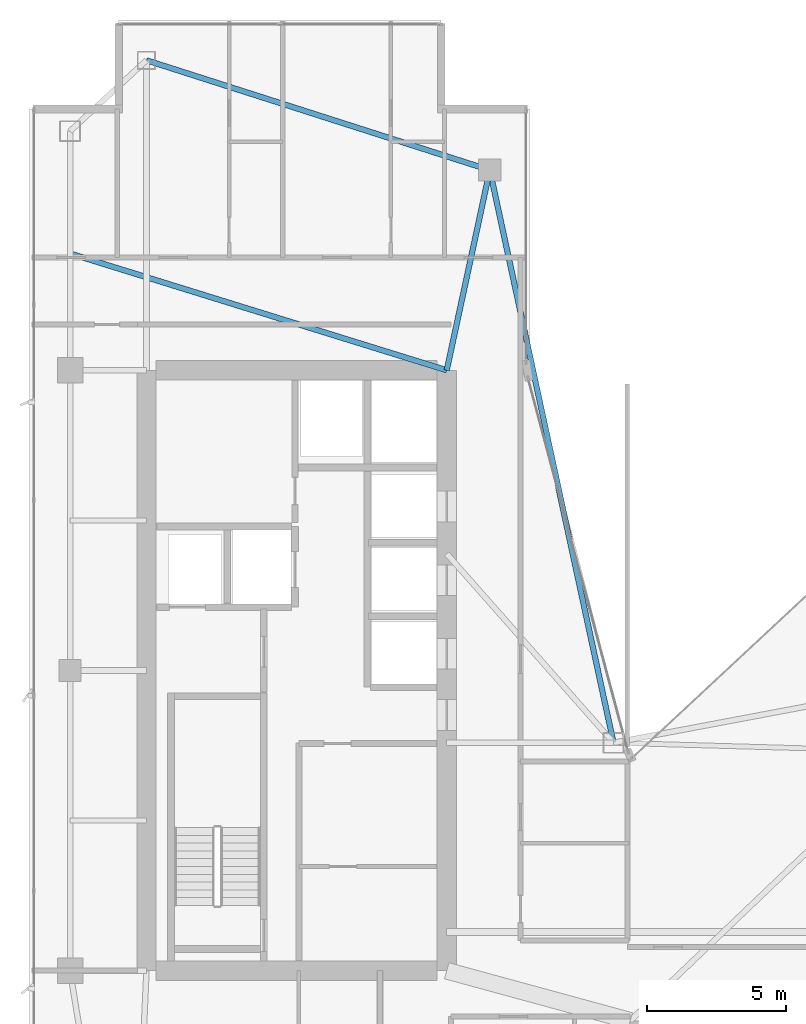
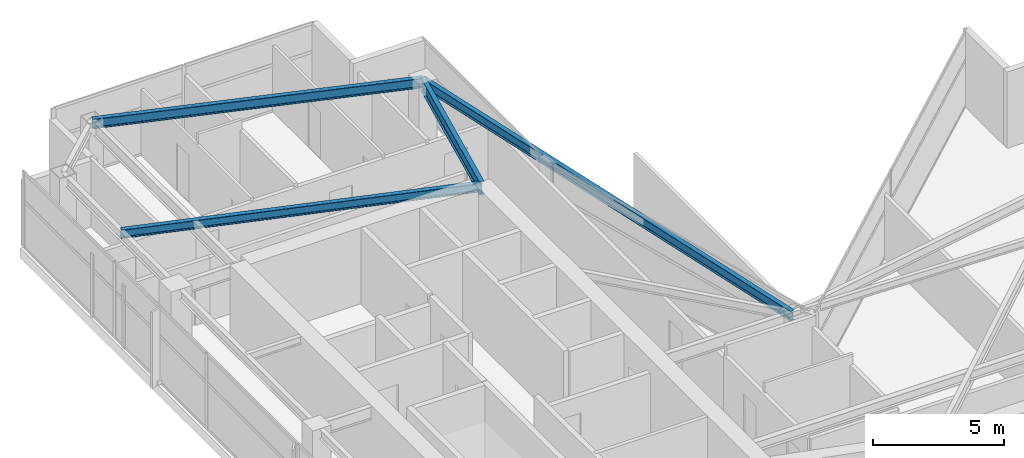
# One storey, part 17 of 28: 4 beams.
"""IFC4 building model written with IfcOpenShell, lengths in metres."""

import ifcopenshell
import ifcopenshell.guid

model = None  # the IFC model being written
_history = None  # IfcOwnerHistory: only IFC2X3 demands one
_inside = {}  # id of a spatial element -> (the spatial element, [elements in it])
_under = {}  # id of a project, library or spatial element -> (it, [spatial elements below it])
_declared = {}  # id of a project -> (the project, [libraries it declares])
_typed = {}  # id of a type object -> (the type object, [elements of that type])
_made_of = {}  # id of a material, layer set ... -> (it, [elements and type objects made of it])


def new_model(schema):
    """Start an empty IFC model of exactly this schema.

    Asked for "IFC4X3", IfcOpenShell would pick the latest addendum, in which some entities
    have other attributes; the version numbers below select the first issue.
    IFC2X3 requires an IfcOwnerHistory on every rooted entity: one is made here for all.
    """
    global model, _history
    if schema == "IFC4X3":
        model = ifcopenshell.file(schema_version=(4, 3, 0, 0))
    else:
        model = ifcopenshell.file(schema=schema)
    _inside.clear()
    _under.clear()
    _declared.clear()
    _typed.clear()
    _made_of.clear()
    _history = None
    if model.schema == "IFC2X3":
        org = make("IfcOrganization", Name="unknown")
        user = make(
            "IfcPersonAndOrganization",
            ThePerson=make("IfcPerson", FamilyName="unknown"),
            TheOrganization=org,
        )
        app = make(
            "IfcApplication",
            ApplicationDeveloper=org,
            Version="unknown",
            ApplicationFullName="unknown",
            ApplicationIdentifier="unknown",
        )
        _history = make(
            "IfcOwnerHistory",
            OwningUser=user,
            OwningApplication=app,
            ChangeAction="ADDED",
            CreationDate=0,
        )
    return model


def make(cls, **values):
    """One entity of the class cls with the attributes given. An attribute that is None is left unset."""
    return model.create_entity(
        cls, **{name: value for name, value in values.items() if value is not None}
    )


def rooted(cls, **values):
    """An entity with a GlobalId (a new one), such as an element, a storey or a relation."""
    return make(cls, GlobalId=ifcopenshell.guid.new(), OwnerHistory=_history, **values)


def si_unit(unit_type, name, prefix=None):
    """IfcSIUnit, for example si_unit("LENGTHUNIT", "METRE", prefix="MILLI")."""
    return make("IfcSIUnit", UnitType=unit_type, Prefix=prefix, Name=name)


def assignment(units):
    """IfcUnitAssignment: the units of a project."""
    return None if units is None else make("IfcUnitAssignment", Units=units)


def point(xyz):
    """IfcCartesianPoint."""
    return None if xyz is None else make("IfcCartesianPoint", Coordinates=xyz)


def direction(xyz):
    """IfcDirection."""
    return None if xyz is None else make("IfcDirection", DirectionRatios=xyz)


def frame(location, z_axis=None, x_axis=None):
    """IfcAxis2Placement3D, a coordinate frame: its origin and axes. An axis left out is left unset."""
    return make(
        "IfcAxis2Placement3D",
        Location=point(location),
        Axis=direction(z_axis),
        RefDirection=direction(x_axis),
    )


def frame_2d(location, x_axis=None):
    """IfcAxis2Placement2D, a coordinate frame in the plane: its origin and x axis."""
    return make(
        "IfcAxis2Placement2D", Location=point(location), RefDirection=direction(x_axis)
    )


def origin():
    """The frame at (0, 0, 0) with its axes left unset."""
    return frame((0.0, 0.0, 0.0))


def origin_2d():
    """The frame at (0, 0) in the plane with its x axis left unset."""
    return frame_2d((0.0, 0.0))


def place(relative_to, where):
    """IfcLocalPlacement: puts the frame where relative to a parent placement (None: the world)."""
    return make(
        "IfcLocalPlacement", PlacementRelTo=relative_to, RelativePlacement=where
    )


def context(
    kind, dimensions, precision=None, world=None, true_north=None, identifier=None
):
    """IfcGeometricRepresentationContext, for example the 3D "Model" context."""
    return make(
        "IfcGeometricRepresentationContext",
        ContextIdentifier=identifier,
        ContextType=kind,
        CoordinateSpaceDimension=dimensions,
        Precision=precision,
        WorldCoordinateSystem=world,
        TrueNorth=true_north,
    )


def subcontext(parent, identifier, kind, view, scale=None):
    """IfcGeometricRepresentationSubContext, for example "Body" below "Model"."""
    return make(
        "IfcGeometricRepresentationSubContext",
        ContextIdentifier=identifier,
        ContextType=kind,
        ParentContext=parent,
        TargetScale=scale,
        TargetView=view,
    )


def project(units=None, contexts=None):
    """IfcProject with its units and contexts."""
    return rooted(
        "IfcProject",
        Name="project",
        RepresentationContexts=contexts,
        UnitsInContext=assignment(units),
    )


def spatial(cls, under=None, at=None, **own):
    """A site, building, storey or space (cls), placed at a placement, below another one or the project."""
    s = rooted(cls, ObjectPlacement=at, **own)
    if under is not None:
        _under.setdefault(under.id(), (under, []))[1].append(s)
    return s


def profile(cls, at=None, kind="AREA", **sizes):
    """A parametric profile (cls). Its sizes go by their IFC names, for example OverallWidth=200.0."""
    return make(cls, ProfileType=kind, Position=at, **sizes)


def i_section(**sizes):
    """IfcIShapeProfileDef."""
    return profile("IfcIShapeProfileDef", **sizes)


def extrude(swept, where, along, depth):
    """IfcExtrudedAreaSolid: the profile swept, set in the frame where, extruded along a direction by depth."""
    return make(
        "IfcExtrudedAreaSolid",
        SweptArea=swept,
        Position=where,
        ExtrudedDirection=direction(along),
        Depth=depth,
    )


def shape(context_of_items, identifier, shape_type, items):
    """IfcShapeRepresentation: the items that make up one representation, for example the "Body"."""
    return make(
        "IfcShapeRepresentation",
        ContextOfItems=context_of_items,
        RepresentationIdentifier=identifier,
        RepresentationType=shape_type,
        Items=items,
    )


def material(Name=None, Category=None):
    """IfcMaterial."""
    return make("IfcMaterial", Name=Name, Category=Category)


def material_profile(
    of_material, cross_section, Name=None, Category=None, Priority=None
):
    """IfcMaterialProfile: a cross section and its material."""
    return make(
        "IfcMaterialProfile",
        Name=Name,
        Material=of_material,
        Profile=cross_section,
        Priority=Priority,
        Category=Category,
    )


def profile_set(profiles, Name=None, composite=None):
    """IfcMaterialProfileSet."""
    return make(
        "IfcMaterialProfileSet",
        Name=Name,
        MaterialProfiles=profiles,
        CompositeProfile=composite,
    )


def made_of(thing, what):
    """Note that an element or type object is made of a material, layer set ...; save() writes the relation."""
    if what is not None:
        _made_of.setdefault(what.id(), (what, []))[1].append(thing)
    return thing


def type_object(cls, material=None, **own):
    """A type object (cls), such as IfcWallType, which elements share."""
    return made_of(rooted(cls, **own), material)


def element(
    cls,
    number,
    at=None,
    inside=None,
    cuts=None,
    type_object=None,
    material=None,
    context=None,
    identifier="Body",
    shape_type=None,
    held_by="IfcProductDefinitionShape",
    body=None,
    shapes=None,
    **own,
):
    """One element of the class cls, such as IfcWall. Its Tag is "e" and its number.

    at: its placement. inside: the storey or other place that contains it. cuts: it is an
    opening in that element (IfcRelVoidsElement). A single representation is given by context,
    identifier, shape_type and body (its items); several are given by shapes. held_by: the class
    of the entity that holds the representations. save() writes the other relations.
    """
    e = rooted(cls, Tag="e%d" % number, ObjectPlacement=at, **own)
    if body is not None:
        shapes = [shape(context, identifier, shape_type, body)]
    if shapes is not None:
        e.Representation = make(held_by, Representations=shapes)
    if inside is not None:
        _inside.setdefault(inside.id(), (inside, []))[1].append(e)
    if cuts is not None:
        rooted(
            "IfcRelVoidsElement", RelatingBuildingElement=cuts, RelatedOpeningElement=e
        )
    if type_object is not None:
        _typed.setdefault(type_object.id(), (type_object, []))[1].append(e)
    return made_of(e, material)


def aggregate(whole, parts):
    """IfcRelAggregates: a whole, such as a stair, and the parts it consists of."""
    return rooted("IfcRelAggregates", RelatingObject=whole, RelatedObjects=parts)


def save(model, path):
    """Write the relations noted so far, then the file.

    IfcRelAggregates (storeys below a building ...), IfcRelContainedInSpatialStructure (elements
    in a storey), IfcRelDefinesByType, IfcRelAssociatesMaterial and IfcRelDeclares: one each for
    every whole, place, type object, material and project.
    """
    for whole, parts in _under.values():
        aggregate(whole, parts)
    for where, things in _inside.values():
        rooted(
            "IfcRelContainedInSpatialStructure",
            RelatedElements=things,
            RelatingStructure=where,
        )
    for kind, things in _typed.values():
        rooted("IfcRelDefinesByType", RelatedObjects=things, RelatingType=kind)
    for what, things in _made_of.values():
        rooted("IfcRelAssociatesMaterial", RelatedObjects=things, RelatingMaterial=what)
    for by, libraries in _declared.values():
        rooted("IfcRelDeclares", RelatingContext=by, RelatedDefinitions=libraries)
    model.write(path)


model = new_model("IFC4")

# Units and contexts
model_context = context("Model", 3, precision=1e-05, world=origin(), true_north=direction((0.0, 1.0)))
body_context = subcontext(model_context, "Body", "Model", "MODEL_VIEW")
ifc_project = project(units=[si_unit("LENGTHUNIT", "METRE"), si_unit("AREAUNIT", "SQUARE_METRE"), si_unit("VOLUMEUNIT", "CUBIC_METRE"), si_unit("PLANEANGLEUNIT", "RADIAN"), si_unit("MASSUNIT", "GRAM", prefix="KILO")], contexts=[model_context])

# Site, building, storey
site_placement = place(None, origin())
site = spatial("IfcSite", under=ifc_project, at=site_placement, CompositionType="ELEMENT")
building_placement = place(site_placement, origin())
building = spatial("IfcBuilding", under=site, at=building_placement, Name="Calvorn Quay Hotel", CompositionType="ELEMENT")
storey_placement = place(building_placement, frame((0.0, 0.0, 219.300048828125)))
storey = spatial("IfcBuildingStorey", under=building, at=storey_placement, Name="L54", CompositionType="ELEMENT", Elevation=219.300048828125)

# Beams
ifc_material_1 = material(Name="Steel Q355B", Category="steel")
ifc_material_profile_1 = material_profile(ifc_material_1, i_section(OverallWidth=0.199951171875, OverallDepth=0.60009765625, WebThickness=0.010986328125, FlangeThickness=0.01708984375, FilletRadius=0.01806640625, at=origin_2d()), Name="HN600x200x11x17")
ifc_profile_set_1 = profile_set([ifc_material_profile_1], Name="Steel Q355B")
beam_type_1 = type_object("IfcBeamType", Name="BM-GIRD-TYP", PredefinedType="BEAM", material=ifc_profile_set_1)
beam_1_placement = place(storey_placement, frame((16.550048828125, 45.60009765625, 3.239990234375), z_axis=(-0.210457140491, -0.97760308511, 0.0), x_axis=(0.97760308511, -0.210457140491, 0.0)))
element("IfcBeam", 1, at=beam_1_placement, inside=storey, type_object=beam_type_1, Name="Beam BG-L54-W6", PredefinedType="BEAM", context=body_context, shape_type="SweptSolid", body=[
    extrude(i_section(OverallWidth=0.199951171875, OverallDepth=0.60009765625, WebThickness=0.010986328125, FlangeThickness=0.01708984375, FilletRadius=0.01806640625, at=origin_2d()), origin(), (0.0, 0.0, 1.0), 7.365234375),
])
ifc_material_2 = material(Name="Steel Q355B", Category="steel")
ifc_material_profile_2 = material_profile(ifc_material_2, i_section(OverallWidth=0.199951171875, OverallDepth=0.39990234375, WebThickness=0.008056640625, FlangeThickness=0.012939453125, FilletRadius=0.01611328125, at=origin_2d()), Name="HN400x200x8x13")
ifc_profile_set_2 = profile_set([ifc_material_profile_2], Name="Steel Q355B")
beam_type_2 = type_object("IfcBeamType", Name="BM-JOIST-TYP", PredefinedType="JOIST", material=ifc_profile_set_2)
beam_2_placement = place(storey_placement, frame((1.449951171875, 42.60009765625, 3.33984375), z_axis=(0.955163702122, -0.296078202759, 0.0), x_axis=(0.296078202759, 0.955163702122, 0.0)))
element("IfcBeam", 2, at=beam_2_placement, inside=storey, type_object=beam_type_2, Name="Beam BJ-L54-W2", PredefinedType="JOIST", context=body_context, shape_type="SweptSolid", body=[
    extrude(i_section(OverallWidth=0.199951171875, OverallDepth=0.39990234375, WebThickness=0.008056640625, FlangeThickness=0.012939453125, FilletRadius=0.01611328125, at=origin_2d()), origin(), (0.0, 0.0, 1.0), 14.18603515625),
])
ifc_material_3 = material(Name="Steel Q355B", Category="steel")
ifc_material_profile_3 = material_profile(ifc_material_3, i_section(OverallWidth=0.199951171875, OverallDepth=0.449951171875, WebThickness=0.009033203125, FlangeThickness=0.013916015625, FilletRadius=0.01611328125, at=origin_2d()), Name="HN450x200x9x14")
ifc_profile_set_3 = profile_set([ifc_material_profile_3], Name="Steel Q355B")
beam_type_3 = type_object("IfcBeamType", Name="BM-SPANDREL-Z3", PredefinedType="SPANDREL", material=ifc_profile_set_3)
beam_3_placement = place(storey_placement, frame((4.199951171875, 49.550048828125, 3.31494140625), z_axis=(0.952470702374, -0.304630203885, 0.0), x_axis=(0.304630203885, 0.952470702374, 0.0)))
element("IfcBeam", 3, at=beam_3_placement, inside=storey, type_object=beam_type_3, Name="Beam BSP-L54-W6", PredefinedType="SPANDREL", context=body_context, shape_type="SweptSolid", body=[
    extrude(i_section(OverallWidth=0.199951171875, OverallDepth=0.449951171875, WebThickness=0.009033203125, FlangeThickness=0.013916015625, FilletRadius=0.01611328125, at=origin_2d()), origin(), (0.0, 0.0, 1.0), 12.96630859375),
])
beam_4_placement = place(storey_placement, frame((16.550048828125, 45.60009765625, 3.31494140625), z_axis=(0.211145848376, -0.977454567084, 0.0), x_axis=(0.977454567084, 0.211145848376, 0.0)))
element("IfcBeam", 4, at=beam_4_placement, inside=storey, type_object=beam_type_3, Name="Beam BSP-L54-W7", PredefinedType="SPANDREL", context=body_context, shape_type="SweptSolid", body=[
    extrude(i_section(OverallWidth=0.199951171875, OverallDepth=0.449951171875, WebThickness=0.009033203125, FlangeThickness=0.013916015625, FilletRadius=0.01611328125, at=origin_2d()), origin(), (0.0, 0.0, 1.0), 21.0751953125),
])

save(model, "model.ifc")
